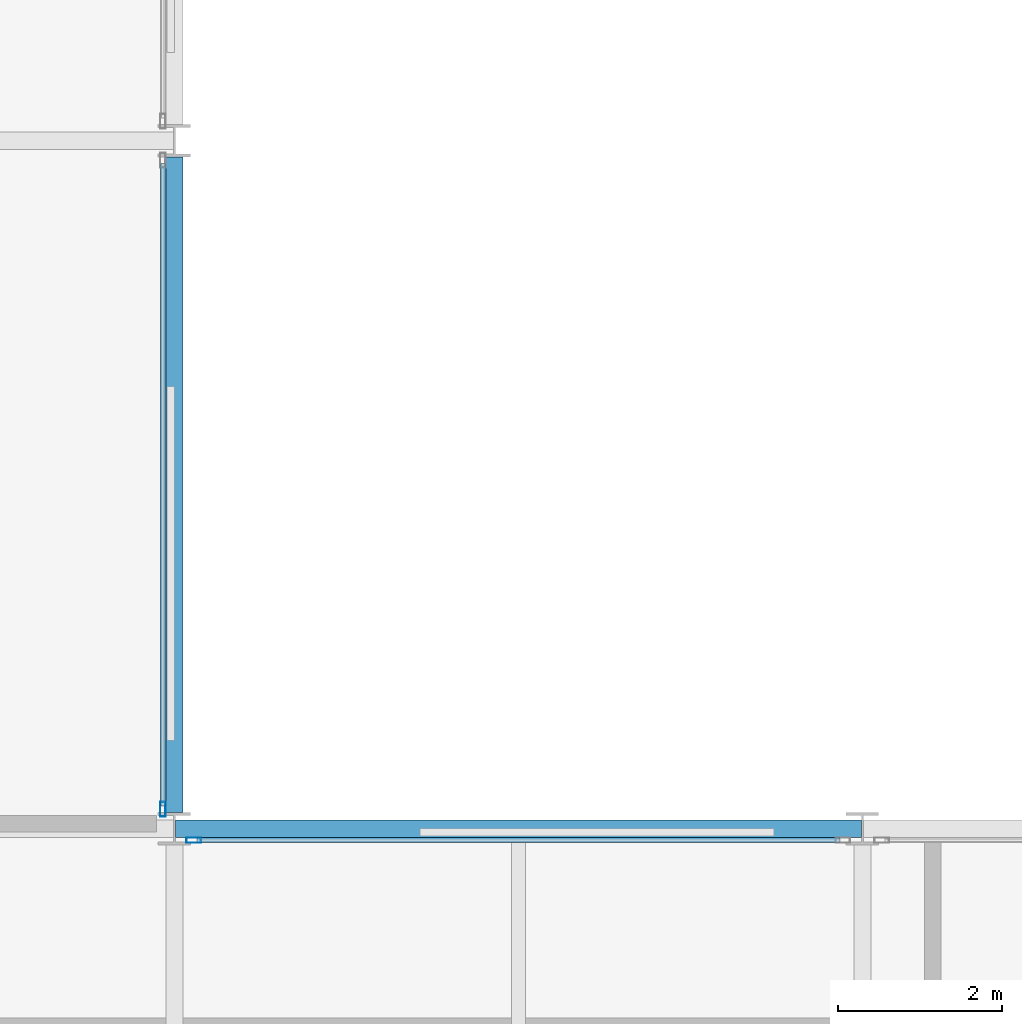
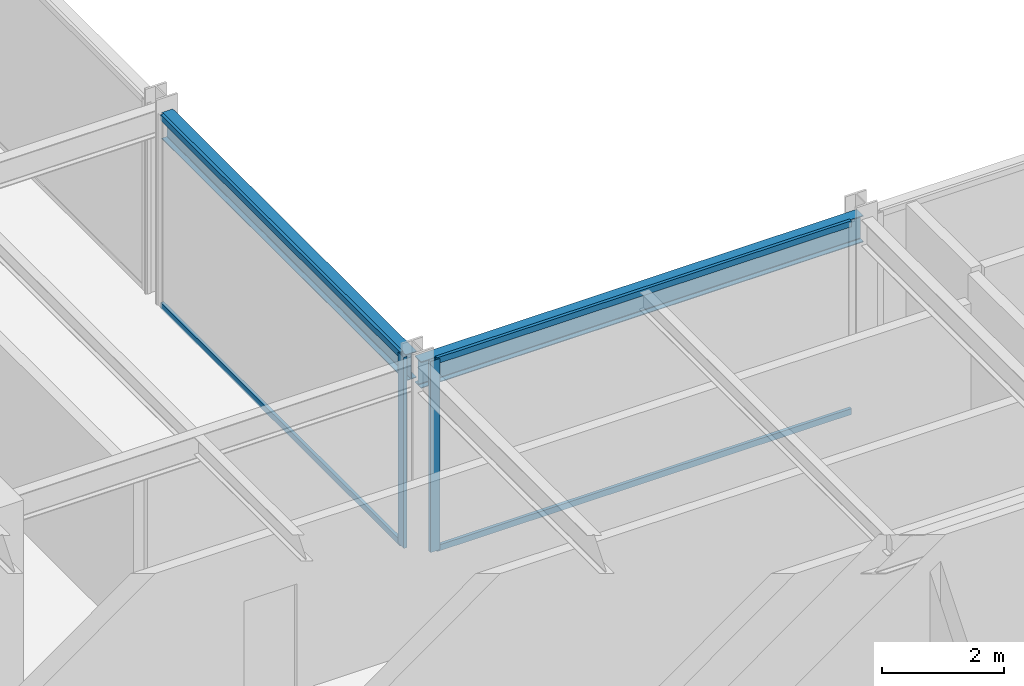
# One storey, part 15 of 38: 6 members, 2 beams, 2 elements without a shape of their own.
"""IFC4 building model written with IfcOpenShell, lengths in metres."""

import ifcopenshell
import ifcopenshell.guid

model = None  # the IFC model being written
_history = None  # IfcOwnerHistory: only IFC2X3 demands one
_inside = {}  # id of a spatial element -> (the spatial element, [elements in it])
_under = {}  # id of a project, library or spatial element -> (it, [spatial elements below it])
_declared = {}  # id of a project -> (the project, [libraries it declares])
_typed = {}  # id of a type object -> (the type object, [elements of that type])
_made_of = {}  # id of a material, layer set ... -> (it, [elements and type objects made of it])


def new_model(schema):
    """Start an empty IFC model of exactly this schema.

    Asked for "IFC4X3", IfcOpenShell would pick the latest addendum, in which some entities
    have other attributes; the version numbers below select the first issue.
    IFC2X3 requires an IfcOwnerHistory on every rooted entity: one is made here for all.
    """
    global model, _history
    if schema == "IFC4X3":
        model = ifcopenshell.file(schema_version=(4, 3, 0, 0))
    else:
        model = ifcopenshell.file(schema=schema)
    _inside.clear()
    _under.clear()
    _declared.clear()
    _typed.clear()
    _made_of.clear()
    _history = None
    if model.schema == "IFC2X3":
        org = make("IfcOrganization", Name="unknown")
        user = make(
            "IfcPersonAndOrganization",
            ThePerson=make("IfcPerson", FamilyName="unknown"),
            TheOrganization=org,
        )
        app = make(
            "IfcApplication",
            ApplicationDeveloper=org,
            Version="unknown",
            ApplicationFullName="unknown",
            ApplicationIdentifier="unknown",
        )
        _history = make(
            "IfcOwnerHistory",
            OwningUser=user,
            OwningApplication=app,
            ChangeAction="ADDED",
            CreationDate=0,
        )
    return model


def make(cls, **values):
    """One entity of the class cls with the attributes given. An attribute that is None is left unset."""
    return model.create_entity(
        cls, **{name: value for name, value in values.items() if value is not None}
    )


def rooted(cls, **values):
    """An entity with a GlobalId (a new one), such as an element, a storey or a relation."""
    return make(cls, GlobalId=ifcopenshell.guid.new(), OwnerHistory=_history, **values)


def si_unit(unit_type, name, prefix=None):
    """IfcSIUnit, for example si_unit("LENGTHUNIT", "METRE", prefix="MILLI")."""
    return make("IfcSIUnit", UnitType=unit_type, Prefix=prefix, Name=name)


def assignment(units):
    """IfcUnitAssignment: the units of a project."""
    return None if units is None else make("IfcUnitAssignment", Units=units)


def point(xyz):
    """IfcCartesianPoint."""
    return None if xyz is None else make("IfcCartesianPoint", Coordinates=xyz)


def direction(xyz):
    """IfcDirection."""
    return None if xyz is None else make("IfcDirection", DirectionRatios=xyz)


def frame(location, z_axis=None, x_axis=None):
    """IfcAxis2Placement3D, a coordinate frame: its origin and axes. An axis left out is left unset."""
    return make(
        "IfcAxis2Placement3D",
        Location=point(location),
        Axis=direction(z_axis),
        RefDirection=direction(x_axis),
    )


def frame_2d(location, x_axis=None):
    """IfcAxis2Placement2D, a coordinate frame in the plane: its origin and x axis."""
    return make(
        "IfcAxis2Placement2D", Location=point(location), RefDirection=direction(x_axis)
    )


def origin():
    """The frame at (0, 0, 0) with its axes left unset."""
    return frame((0.0, 0.0, 0.0))


def origin_2d():
    """The frame at (0, 0) in the plane with its x axis left unset."""
    return frame_2d((0.0, 0.0))


def place(relative_to, where):
    """IfcLocalPlacement: puts the frame where relative to a parent placement (None: the world)."""
    return make(
        "IfcLocalPlacement", PlacementRelTo=relative_to, RelativePlacement=where
    )


def context(
    kind, dimensions, precision=None, world=None, true_north=None, identifier=None
):
    """IfcGeometricRepresentationContext, for example the 3D "Model" context."""
    return make(
        "IfcGeometricRepresentationContext",
        ContextIdentifier=identifier,
        ContextType=kind,
        CoordinateSpaceDimension=dimensions,
        Precision=precision,
        WorldCoordinateSystem=world,
        TrueNorth=true_north,
    )


def subcontext(parent, identifier, kind, view, scale=None):
    """IfcGeometricRepresentationSubContext, for example "Body" below "Model"."""
    return make(
        "IfcGeometricRepresentationSubContext",
        ContextIdentifier=identifier,
        ContextType=kind,
        ParentContext=parent,
        TargetScale=scale,
        TargetView=view,
    )


def project(units=None, contexts=None):
    """IfcProject with its units and contexts."""
    return rooted(
        "IfcProject",
        Name="project",
        RepresentationContexts=contexts,
        UnitsInContext=assignment(units),
    )


def spatial(cls, under=None, at=None, **own):
    """A site, building, storey or space (cls), placed at a placement, below another one or the project."""
    s = rooted(cls, ObjectPlacement=at, **own)
    if under is not None:
        _under.setdefault(under.id(), (under, []))[1].append(s)
    return s


def profile(cls, at=None, kind="AREA", **sizes):
    """A parametric profile (cls). Its sizes go by their IFC names, for example OverallWidth=200.0."""
    return make(cls, ProfileType=kind, Position=at, **sizes)


def hollow_rectangle(**sizes):
    """IfcRectangleHollowProfileDef."""
    return profile("IfcRectangleHollowProfileDef", **sizes)


def i_section(**sizes):
    """IfcIShapeProfileDef."""
    return profile("IfcIShapeProfileDef", **sizes)


def extrude(swept, where, along, depth):
    """IfcExtrudedAreaSolid: the profile swept, set in the frame where, extruded along a direction by depth."""
    return make(
        "IfcExtrudedAreaSolid",
        SweptArea=swept,
        Position=where,
        ExtrudedDirection=direction(along),
        Depth=depth,
    )


def shape(context_of_items, identifier, shape_type, items):
    """IfcShapeRepresentation: the items that make up one representation, for example the "Body"."""
    return make(
        "IfcShapeRepresentation",
        ContextOfItems=context_of_items,
        RepresentationIdentifier=identifier,
        RepresentationType=shape_type,
        Items=items,
    )


def material(Name=None, Category=None):
    """IfcMaterial."""
    return make("IfcMaterial", Name=Name, Category=Category)


def layer(
    of_material, thickness, ventilated=None, Name=None, Category=None, Priority=None
):
    """IfcMaterialLayer: one layer of a wall or slab, of a material (None: an air gap)."""
    return make(
        "IfcMaterialLayer",
        Material=of_material,
        LayerThickness=thickness,
        IsVentilated=ventilated,
        Name=Name,
        Category=Category,
        Priority=Priority,
    )


def layer_set(layers, Name=None):
    """IfcMaterialLayerSet."""
    return make("IfcMaterialLayerSet", MaterialLayers=layers, LayerSetName=Name)


def material_profile(
    of_material, cross_section, Name=None, Category=None, Priority=None
):
    """IfcMaterialProfile: a cross section and its material."""
    return make(
        "IfcMaterialProfile",
        Name=Name,
        Material=of_material,
        Profile=cross_section,
        Priority=Priority,
        Category=Category,
    )


def profile_set(profiles, Name=None, composite=None):
    """IfcMaterialProfileSet."""
    return make(
        "IfcMaterialProfileSet",
        Name=Name,
        MaterialProfiles=profiles,
        CompositeProfile=composite,
    )


def made_of(thing, what):
    """Note that an element or type object is made of a material, layer set ...; save() writes the relation."""
    if what is not None:
        _made_of.setdefault(what.id(), (what, []))[1].append(thing)
    return thing


def type_object(cls, material=None, **own):
    """A type object (cls), such as IfcWallType, which elements share."""
    return made_of(rooted(cls, **own), material)


def element(
    cls,
    number,
    at=None,
    inside=None,
    cuts=None,
    type_object=None,
    material=None,
    context=None,
    identifier="Body",
    shape_type=None,
    held_by="IfcProductDefinitionShape",
    body=None,
    shapes=None,
    **own,
):
    """One element of the class cls, such as IfcWall. Its Tag is "e" and its number.

    at: its placement. inside: the storey or other place that contains it. cuts: it is an
    opening in that element (IfcRelVoidsElement). A single representation is given by context,
    identifier, shape_type and body (its items); several are given by shapes. held_by: the class
    of the entity that holds the representations. save() writes the other relations.
    """
    e = rooted(cls, Tag="e%d" % number, ObjectPlacement=at, **own)
    if body is not None:
        shapes = [shape(context, identifier, shape_type, body)]
    if shapes is not None:
        e.Representation = make(held_by, Representations=shapes)
    if inside is not None:
        _inside.setdefault(inside.id(), (inside, []))[1].append(e)
    if cuts is not None:
        rooted(
            "IfcRelVoidsElement", RelatingBuildingElement=cuts, RelatedOpeningElement=e
        )
    if type_object is not None:
        _typed.setdefault(type_object.id(), (type_object, []))[1].append(e)
    return made_of(e, material)


def aggregate(whole, parts):
    """IfcRelAggregates: a whole, such as a stair, and the parts it consists of."""
    return rooted("IfcRelAggregates", RelatingObject=whole, RelatedObjects=parts)


def save(model, path):
    """Write the relations noted so far, then the file.

    IfcRelAggregates (storeys below a building ...), IfcRelContainedInSpatialStructure (elements
    in a storey), IfcRelDefinesByType, IfcRelAssociatesMaterial and IfcRelDeclares: one each for
    every whole, place, type object, material and project.
    """
    for whole, parts in _under.values():
        aggregate(whole, parts)
    for where, things in _inside.values():
        rooted(
            "IfcRelContainedInSpatialStructure",
            RelatedElements=things,
            RelatingStructure=where,
        )
    for kind, things in _typed.values():
        rooted("IfcRelDefinesByType", RelatedObjects=things, RelatingType=kind)
    for what, things in _made_of.values():
        rooted("IfcRelAssociatesMaterial", RelatedObjects=things, RelatingMaterial=what)
    for by, libraries in _declared.values():
        rooted("IfcRelDeclares", RelatingContext=by, RelatedDefinitions=libraries)
    model.write(path)


model = new_model("IFC4")

# Units and contexts
model_context = context("Model", 3, precision=1e-05, world=origin(), true_north=direction((0.0, 1.0)))
body_context = subcontext(model_context, "Body", "Model", "MODEL_VIEW")
ifc_project = project(units=[si_unit("LENGTHUNIT", "METRE"), si_unit("AREAUNIT", "SQUARE_METRE"), si_unit("VOLUMEUNIT", "CUBIC_METRE"), si_unit("PLANEANGLEUNIT", "RADIAN"), si_unit("MASSUNIT", "GRAM", prefix="KILO")], contexts=[model_context])

# Site, building, storey
site_placement = place(None, origin())
site = spatial("IfcSite", under=ifc_project, at=site_placement, CompositionType="ELEMENT")
building_placement = place(site_placement, origin())
building = spatial("IfcBuilding", under=site, at=building_placement, Name="Nerrivon Quay Data Exchange", CompositionType="ELEMENT")
storey_placement = place(building_placement, frame((0.0, 0.0, 96.699951171875)))
storey = spatial("IfcBuildingStorey", under=building, at=storey_placement, Name="L22", CompositionType="ELEMENT", Elevation=96.699951171875)

# Beams
ifc_material_1 = material(Name="Steel Grade 350", Category="steel")
ifc_material_profile_1 = material_profile(ifc_material_1, i_section(OverallWidth=0.208984375, OverallDepth=0.532958984375, WebThickness=0.01025390625, FlangeThickness=0.015625, FilletRadius=0.013916015625, at=origin_2d()), Name="530UB92.4")
ifc_profile_set_1 = profile_set([ifc_material_profile_1], Name="Steel Grade 350")
beam_type_1 = type_object("IfcBeamType", Name="BM-G3-530UB92", PredefinedType="BEAM", material=ifc_profile_set_1)
beam_1_placement = place(storey_placement, frame((25.21240234375, 25.199951171875, 3.55859375), z_axis=(1.0, 0.0, 0.0), x_axis=(0.0, 1.0, 0.0)))
element("IfcBeam", 1, at=beam_1_placement, inside=storey, type_object=beam_type_1, Name="L22 EW Girder Y=25.2 (25.2..33.6)", PredefinedType="BEAM", context=body_context, shape_type="SweptSolid", body=[
    extrude(i_section(OverallWidth=0.208984375, OverallDepth=0.532958984375, WebThickness=0.01025390625, FlangeThickness=0.015625, FilletRadius=0.013916015625, at=origin_2d()), origin(), (0.0, 0.0, 1.0), 8.375),
])
ifc_material_profile_2 = material_profile(ifc_material_1, i_section(OverallWidth=0.208984375, OverallDepth=0.528076171875, WebThickness=0.009521484375, FlangeThickness=0.01318359375, FilletRadius=0.013916015625, at=origin_2d()), Name="530UB82.0")
ifc_profile_set_2 = profile_set([ifc_material_profile_2], Name="Steel Grade 350")
beam_type_2 = type_object("IfcBeamType", Name="BM-G4-530UB82", PredefinedType="BEAM", material=ifc_profile_set_2)
beam_2_placement = place(storey_placement, frame((25.199951171875, 25.39990234375, 3.56103515625), z_axis=(0.0, 1.0, 0.0), x_axis=(-1.0, 0.0, 0.0)))
element("IfcBeam", 2, at=beam_2_placement, inside=storey, type_object=beam_type_2, Name="L22 NS Girder X=25.2 (25.2..33.6)", PredefinedType="BEAM", context=body_context, shape_type="SweptSolid", body=[
    extrude(i_section(OverallWidth=0.208984375, OverallDepth=0.528076171875, WebThickness=0.009521484375, FlangeThickness=0.01318359375, FilletRadius=0.013916015625, at=origin_2d()), origin(), (0.0, 0.0, 1.0), 8.0),
])

# Curtain wall, member
ifc_material_2 = material(Name="Anodised aluminium 6063-T6", Category="aluminium")
ifc_layer = layer(ifc_material_2, 0.2099609375)
ifc_layer_set = layer_set([ifc_layer], Name="Anodised aluminium 6063-T6")
curtain_wall_type = type_object("IfcCurtainWallType", Name="CW-SYS-02", PredefinedType="NOTDEFINED", material=ifc_layer_set)
curtain_wall_1_placement = place(storey_placement, origin())
curtain_wall_1 = element("IfcCurtainWall", 3, at=curtain_wall_1_placement, inside=storey, type_object=curtain_wall_type, Name="L22 Unitised Curtain Wall 31", PredefinedType="NOTDEFINED")
ifc_material_profile_3 = material_profile(ifc_material_2, hollow_rectangle(XDim=0.06494140625, YDim=0.179931640625, WallThickness=0.00341796875, at=origin_2d()), Name="ALU-MULL-180x65")
ifc_profile_set_3 = profile_set([ifc_material_profile_3], Name="Anodised aluminium 6063-T6")
member_type_1 = type_object("IfcMemberType", Name="CWM-180x65", PredefinedType="MULLION", material=ifc_profile_set_3)
member_1_placement = place(storey_placement, frame((25.06005859375, 25.4375, 0.0), z_axis=(0.0, 0.0, 1.0), x_axis=(1.0, 0.0, 0.0)))
member_1 = element("IfcMember", 4, at=member_1_placement, type_object=member_type_1, Name="CW02 mullion 2", PredefinedType="MULLION", context=body_context, shape_type="SweptSolid", body=[
    extrude(hollow_rectangle(XDim=0.06494140625, YDim=0.179931640625, WallThickness=0.00341796875, at=origin_2d()), origin(), (0.0, 0.0, 1.0), 3.824951171875),
])

curtain_wall_2_placement = place(storey_placement, origin())
curtain_wall_2 = element("IfcCurtainWall", 5, at=curtain_wall_2_placement, inside=storey, type_object=curtain_wall_type, Name="L22 Unitised Curtain Wall 32", PredefinedType="NOTDEFINED")
member_2_placement = place(storey_placement, frame((25.4375, 25.06005859375, 0.0), z_axis=(0.0, 0.0, 1.0), x_axis=(0.0, 1.0, 0.0)))
member_2 = element("IfcMember", 6, at=member_2_placement, type_object=member_type_1, Name="CW02 mullion 1", PredefinedType="MULLION", context=body_context, shape_type="SweptSolid", body=[
    extrude(hollow_rectangle(XDim=0.06494140625, YDim=0.179931640625, WallThickness=0.00341796875, at=origin_2d()), origin(), (0.0, 0.0, 1.0), 3.824951171875),
])

# Member
ifc_material_profile_4 = material_profile(ifc_material_2, hollow_rectangle(XDim=0.06005859375, YDim=0.1201171875, WallThickness=0.003173828125, at=origin_2d()), Name="ALU-TRAN-120x60")
ifc_profile_set_4 = profile_set([ifc_material_profile_4], Name="Anodised aluminium 6063-T6")
member_type_2 = type_object("IfcMemberType", Name="CWT-120x60", PredefinedType="USERDEFINED", material=ifc_profile_set_4)
member_3_placement = place(storey_placement, frame((25.06005859375, 33.324951171875, 0.032470703125), z_axis=(0.0, -1.0, 0.0), x_axis=(1.0, 0.0, 0.0)))
member_3 = element("IfcMember", 7, at=member_3_placement, type_object=member_type_2, Name="CW02 transom 1.1", ObjectType="TRANSOM", PredefinedType="USERDEFINED", context=body_context, shape_type="SweptSolid", body=[
    extrude(hollow_rectangle(XDim=0.06005859375, YDim=0.1201171875, WallThickness=0.003173828125, at=origin_2d()), origin(), (0.0, 0.0, 1.0), 7.849853515625),
])

member_4_placement = place(storey_placement, frame((25.06005859375, 33.324951171875, 3.79248046875), z_axis=(0.0, -1.0, 0.0), x_axis=(1.0, 0.0, 0.0)))
member_4 = element("IfcMember", 8, at=member_4_placement, type_object=member_type_2, Name="CW02 transom 1.2", ObjectType="TRANSOM", PredefinedType="USERDEFINED", context=body_context, shape_type="SweptSolid", body=[
    extrude(hollow_rectangle(XDim=0.06005859375, YDim=0.1201171875, WallThickness=0.003173828125, at=origin_2d()), origin(), (0.0, 0.0, 1.0), 7.849853515625),
])

aggregate(curtain_wall_1, [member_1, member_3, member_4])

member_5_placement = place(storey_placement, frame((25.47509765625, 25.06005859375, 0.032470703125), z_axis=(1.0, 0.0, 0.0), x_axis=(0.0, 1.0, 0.0)))
member_5 = element("IfcMember", 9, at=member_5_placement, type_object=member_type_2, Name="CW02 transom 1.1", ObjectType="TRANSOM", PredefinedType="USERDEFINED", context=body_context, shape_type="SweptSolid", body=[
    extrude(hollow_rectangle(XDim=0.06005859375, YDim=0.1201171875, WallThickness=0.003173828125, at=origin_2d()), origin(), (0.0, 0.0, 1.0), 7.849853515625),
])

member_6_placement = place(storey_placement, frame((25.47509765625, 25.06005859375, 3.79248046875), z_axis=(1.0, 0.0, 0.0), x_axis=(0.0, 1.0, 0.0)))
member_6 = element("IfcMember", 10, at=member_6_placement, type_object=member_type_2, Name="CW02 transom 1.2", ObjectType="TRANSOM", PredefinedType="USERDEFINED", context=body_context, shape_type="SweptSolid", body=[
    extrude(hollow_rectangle(XDim=0.06005859375, YDim=0.1201171875, WallThickness=0.003173828125, at=origin_2d()), origin(), (0.0, 0.0, 1.0), 7.849853515625),
])

aggregate(curtain_wall_2, [member_2, member_5, member_6])

save(model, "model.ifc")
